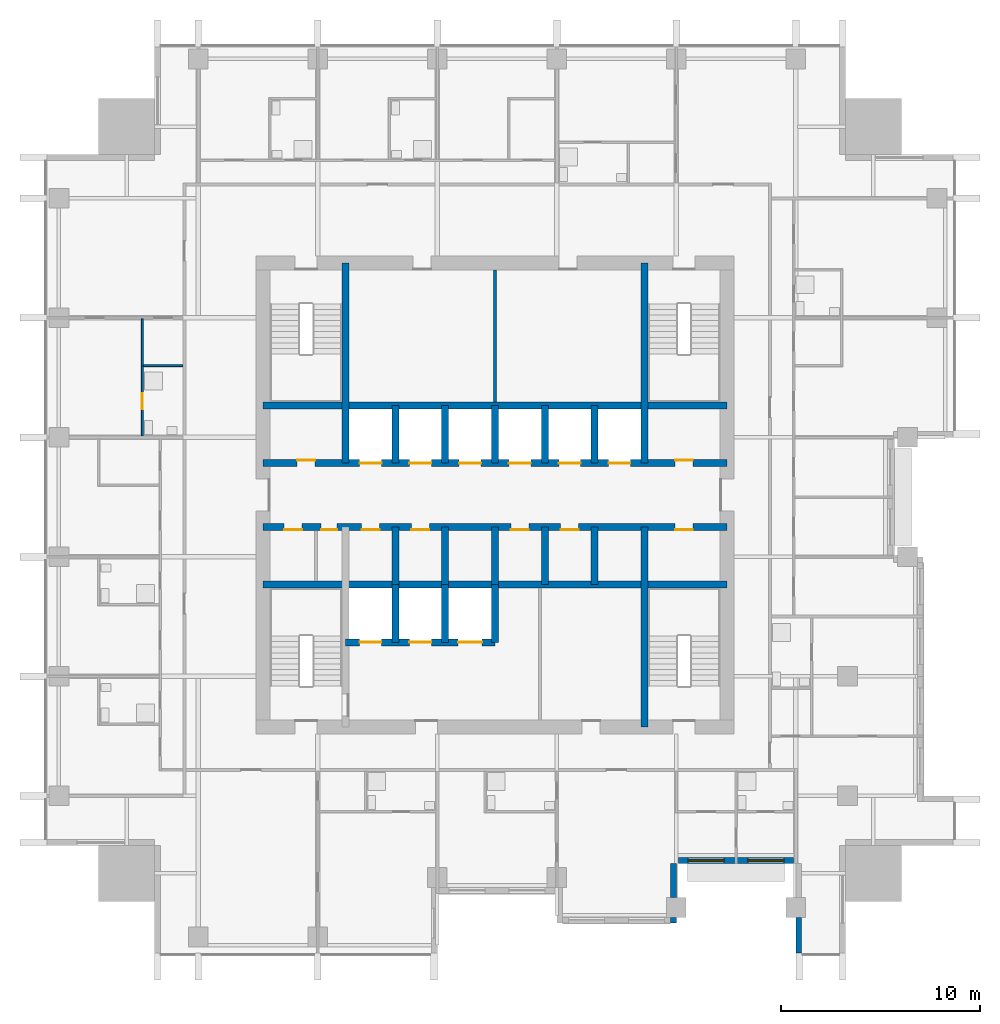
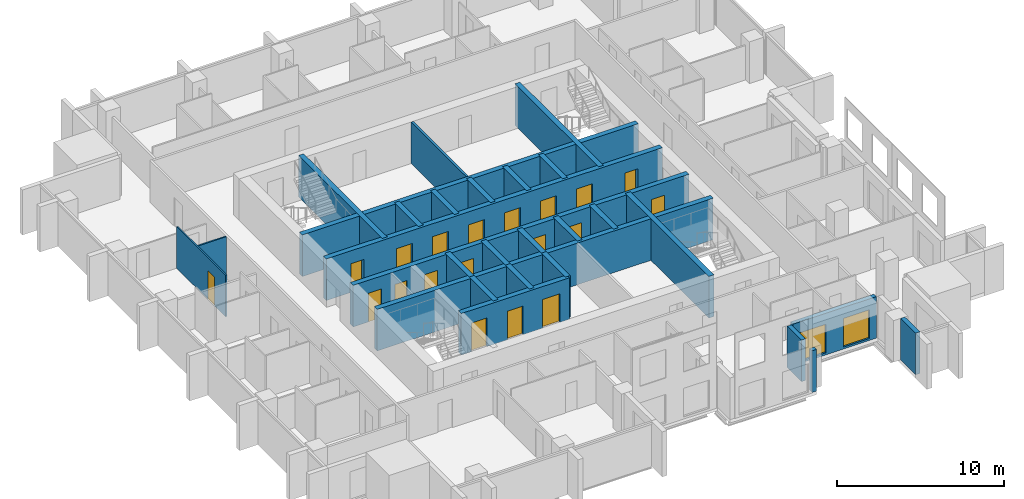
# One storey, part 5 of 11: 28 walls, 19 doors, 2 windows, 21 openings.
"""IFC4 building model written with IfcOpenShell, lengths in metres."""

from ifc_helpers import new_model, si_unit, direction, frame, frame_2d, origin, place, context, subcontext, project, spatial, rectangle, extrude, material, layer, layer_set, type_object, element, fill, save


model = new_model("IFC4")

# Units and contexts
model_context = context("Model", 3, precision=1e-05, world=origin(), true_north=direction((0.0, 1.0)))
body_context = subcontext(model_context, "Body", "Model", "MODEL_VIEW")
ifc_project = project(units=[si_unit("LENGTHUNIT", "METRE"), si_unit("AREAUNIT", "SQUARE_METRE"), si_unit("VOLUMEUNIT", "CUBIC_METRE"), si_unit("PLANEANGLEUNIT", "RADIAN"), si_unit("MASSUNIT", "GRAM", prefix="KILO")], contexts=[model_context])

# Site, building, storey
site_placement = place(None, origin())
site = spatial("IfcSite", under=ifc_project, at=site_placement, CompositionType="ELEMENT")
building_placement = place(site_placement, origin())
building = spatial("IfcBuilding", under=site, at=building_placement, Name="Amberfall Residences", CompositionType="ELEMENT")
storey_placement = place(building_placement, frame((0.0, 0.0, 171.39990234375)))
storey = spatial("IfcBuildingStorey", under=building, at=storey_placement, Name="L46", CompositionType="ELEMENT", Elevation=171.39990234375)

# Walls
ifc_material_1 = material(Name="Pale stone cladding on insulated backing", Category="masonry")
ifc_layer_1 = layer(ifc_material_1, 0.300048828125)
ifc_layer_set_1 = layer_set([ifc_layer_1], Name="Bronze clad wall 300")
wall_type_1 = type_object("IfcWallType", Name="Bronze clad wall 300", PredefinedType="SOLIDWALL", material=ifc_layer_set_1)
wall_1_placement = place(storey_placement, frame((83.449951171875, 24.0, 0.0), z_axis=(0.0, 0.0, 1.0), x_axis=(0.0, 1.0, 0.0)))
element("IfcWall", 1, at=wall_1_placement, inside=storey, type_object=wall_type_1, Name="External wall L46 S", PredefinedType="SOLIDWALL", context=body_context, shape_type="SweptSolid", body=[
    extrude(rectangle(XDim=0.300048828125, YDim=0.300048828125, at=frame_2d((0.14990234375, 0.0))), origin(), (0.0, 0.0, 1.0), 3.050048828125),
])
wall_2_placement = place(storey_placement, frame((83.449951171875, 25.300048828125, 0.0), z_axis=(0.0, 0.0, 1.0), x_axis=(0.0, 1.0, 0.0)))
element("IfcWall", 2, at=wall_2_placement, inside=storey, type_object=wall_type_1, Name="External wall L46 S", PredefinedType="SOLIDWALL", context=body_context, shape_type="SweptSolid", body=[
    extrude(rectangle(XDim=1.699951171875, YDim=0.300048828125, at=frame_2d((0.85009765625, 0.0))), origin(), (0.0, 0.0, 1.0), 3.050048828125),
])
wall_3_placement = place(storey_placement, frame((89.75, 24.300048828125, 0.0), z_axis=(0.0, 0.0, 1.0), x_axis=(0.0, -1.0, 0.0)))
element("IfcWall", 3, at=wall_3_placement, inside=storey, type_object=wall_type_1, Name="External wall L46 S", PredefinedType="SOLIDWALL", context=body_context, shape_type="SweptSolid", body=[
    extrude(rectangle(XDim=1.800048828125, YDim=0.300048828125, at=frame_2d((0.89990234375, 0.0))), origin(), (0.0, 0.0, 1.0), 3.050048828125),
])

# Wall, openings, windows
wall_4_placement = place(storey_placement, frame((83.699951171875, 27.14990234375, 0.0), z_axis=(0.0, 0.0, 1.0), x_axis=(1.0, 0.0, 0.0)))
wall_4 = element("IfcWall", 4, at=wall_4_placement, inside=storey, type_object=wall_type_1, Name="Stone wall L46 S", PredefinedType="SOLIDWALL", context=body_context, shape_type="SweptSolid", body=[
    extrude(rectangle(XDim=5.7900390625, YDim=0.300048828125, at=frame_2d((2.89501953125, 0.0))), origin(), (0.0, 0.0, 1.0), 3.050048828125),
])
opening_1_placement = place(wall_4_placement, frame((0.5, 0.0, 0.14990234375)))
opening_1 = element("IfcOpeningElement", 5, at=opening_1_placement, cuts=wall_4, Name="Opening WN6", PredefinedType="OPENING", context=body_context, shape_type="SweptSolid", body=[
    extrude(rectangle(XDim=1.800048828125, YDim=2.10009765625, at=frame_2d((0.89990234375, 1.050048828125))), frame((0.0, 0.159912109375, 0.0), z_axis=(0.0, -1.0, 0.0), x_axis=(1.0, 0.0, 0.0)), (0.0, 0.0, 1.0), 0.320068359375),
])
opening_2_placement = place(wall_4_placement, frame((3.5, 0.0, 0.14990234375)))
opening_2 = element("IfcOpeningElement", 6, at=opening_2_placement, cuts=wall_4, Name="Opening WN6", PredefinedType="OPENING", context=body_context, shape_type="SweptSolid", body=[
    extrude(rectangle(XDim=1.800048828125, YDim=2.10009765625, at=frame_2d((0.89990234375, 1.050048828125))), frame((0.0, 0.159912109375, 0.0), z_axis=(0.0, -1.0, 0.0), x_axis=(1.0, 0.0, 0.0)), (0.0, 0.0, 1.0), 0.320068359375),
])
ifc_material_2 = material(Name="Bronze aluminium framed glazing", Category="aluminium")
window_type = type_object("IfcWindowType", Name="Glazed opening 1800 x 2100 bronze", PartitioningType="DOUBLE_PANEL_VERTICAL", PredefinedType="WINDOW", material=ifc_material_2)
window_1_placement = place(opening_1_placement, origin())
window_1 = element("IfcWindow", 7, at=window_1_placement, inside=storey, type_object=window_type, Name="Window L46 S", OverallHeight=2.10009765625, OverallWidth=1.800048828125, PartitioningType="DOUBLE_PANEL_VERTICAL", PredefinedType="WINDOW", context=body_context, shape_type="SweptSolid", body=[
    extrude(rectangle(XDim=1.800048828125, YDim=2.10009765625, at=frame_2d((0.89990234375, 1.050048828125))), frame((0.0, 0.030029296875, 0.0), z_axis=(0.0, -1.0, 0.0), x_axis=(1.0, 0.0, 0.0)), (0.0, 0.0, 1.0), 0.06005859375),
])
fill(opening_1, window_1)
window_2_placement = place(opening_2_placement, origin())
window_2 = element("IfcWindow", 8, at=window_2_placement, inside=storey, type_object=window_type, Name="Window L46 S", OverallHeight=2.10009765625, OverallWidth=1.800048828125, PartitioningType="DOUBLE_PANEL_VERTICAL", PredefinedType="WINDOW", context=body_context, shape_type="SweptSolid", body=[
    extrude(rectangle(XDim=1.800048828125, YDim=2.10009765625, at=frame_2d((0.89990234375, 1.050048828125))), frame((0.0, 0.030029296875, 0.0), z_axis=(0.0, -1.0, 0.0), x_axis=(1.0, 0.0, 0.0)), (0.0, 0.0, 1.0), 0.06005859375),
])
fill(opening_2, window_2)

# Wall
ifc_material_3 = material(Name="Concrete C60", Category="concrete")
ifc_layer_2 = layer(ifc_material_3, 0.35009765625)
ifc_layer_set_2 = layer_set([ifc_layer_2], Name="Core wall 350 C60")
wall_type_2 = type_object("IfcWallType", Name="Core wall 350 C60", PredefinedType="SHEAR", material=ifc_layer_set_2)
wall_5_placement = place(storey_placement, frame((62.85009765625, 41.0, 0.0), z_axis=(0.0, 0.0, 1.0), x_axis=(1.0, 0.0, 0.0)))
element("IfcWall", 9, at=wall_5_placement, inside=storey, type_object=wall_type_2, Name="Core wall RW6 L46 H75", PredefinedType="SHEAR", context=body_context, shape_type="SweptSolid", body=[
    extrude(rectangle(XDim=23.2998046875, YDim=0.35009765625, at=frame_2d((11.64990234375, 0.0))), origin(), (0.0, 0.0, 1.0), 3.050048828125),
])

# Wall, openings, doors
wall_6_placement = place(storey_placement, frame((62.85009765625, 43.89990234375, 0.0), z_axis=(0.0, 0.0, 1.0), x_axis=(1.0, 0.0, 0.0)))
wall_6 = element("IfcWall", 10, at=wall_6_placement, inside=storey, type_object=wall_type_2, Name="Core wall RW6 L46 H104", PredefinedType="SHEAR", context=body_context, shape_type="SweptSolid", body=[
    extrude(rectangle(XDim=23.2998046875, YDim=0.35009765625, at=frame_2d((11.64990234375, 0.0))), origin(), (0.0, 0.0, 1.0), 3.050048828125),
])
opening_3_placement = place(wall_6_placement, frame((1.06005859375, 0.0, 0.0)))
opening_3 = element("IfcOpeningElement", 11, at=opening_3_placement, cuts=wall_6, Name="Opening RD1", PredefinedType="OPENING", context=body_context, shape_type="SweptSolid", body=[
    extrude(rectangle(XDim=0.89990234375, YDim=2.10009765625, at=frame_2d((0.449951171875, 1.050048828125))), frame((0.0, 0.18505859375, 0.0), z_axis=(0.0, -1.0, 0.0), x_axis=(1.0, 0.0, 0.0)), (0.0, 0.0, 1.0), 0.3701171875),
])
opening_4_placement = place(wall_6_placement, frame((2.922607421875, 0.0, 0.0)))
opening_4 = element("IfcOpeningElement", 12, at=opening_4_placement, cuts=wall_6, Name="Opening RD2", PredefinedType="OPENING", context=body_context, shape_type="SweptSolid", body=[
    extrude(rectangle(XDim=0.800048828125, YDim=2.10009765625, at=frame_2d((0.39990234375, 1.050048828125))), frame((0.0, 0.18505859375, 0.0), z_axis=(0.0, -1.0, 0.0), x_axis=(1.0, 0.0, 0.0)), (0.0, 0.0, 1.0), 0.3701171875),
])
opening_5_placement = place(wall_6_placement, frame((20.6875, 0.0, 0.0)))
opening_5 = element("IfcOpeningElement", 13, at=opening_5_placement, cuts=wall_6, Name="Opening RD1", PredefinedType="OPENING", context=body_context, shape_type="SweptSolid", body=[
    extrude(rectangle(XDim=0.89990234375, YDim=2.10009765625, at=frame_2d((0.449951171875, 1.050048828125))), frame((0.0, 0.18505859375, 0.0), z_axis=(0.0, -1.0, 0.0), x_axis=(1.0, 0.0, 0.0)), (0.0, 0.0, 1.0), 0.3701171875),
])
opening_6_placement = place(wall_6_placement, frame((4.949951171875, 0.0, 0.0)))
opening_6 = element("IfcOpeningElement", 14, at=opening_6_placement, cuts=wall_6, Name="Opening RD1", PredefinedType="OPENING", context=body_context, shape_type="SweptSolid", body=[
    extrude(rectangle(XDim=0.89990234375, YDim=2.10009765625, at=frame_2d((0.449951171875, 1.050048828125))), frame((0.0, 0.18505859375, 0.0), z_axis=(0.0, -1.0, 0.0), x_axis=(1.0, 0.0, 0.0)), (0.0, 0.0, 1.0), 0.3701171875),
])
opening_7_placement = place(wall_6_placement, frame((7.449951171875, 0.0, 0.0)))
opening_7 = element("IfcOpeningElement", 15, at=opening_7_placement, cuts=wall_6, Name="Opening RD1", PredefinedType="OPENING", context=body_context, shape_type="SweptSolid", body=[
    extrude(rectangle(XDim=0.89990234375, YDim=2.10009765625, at=frame_2d((0.449951171875, 1.050048828125))), frame((0.0, 0.18505859375, 0.0), z_axis=(0.0, -1.0, 0.0), x_axis=(1.0, 0.0, 0.0)), (0.0, 0.0, 1.0), 0.3701171875),
])
opening_8_placement = place(wall_6_placement, frame((12.449951171875, 0.0, 0.0)))
opening_8 = element("IfcOpeningElement", 16, at=opening_8_placement, cuts=wall_6, Name="Opening RD1", PredefinedType="OPENING", context=body_context, shape_type="SweptSolid", body=[
    extrude(rectangle(XDim=0.89990234375, YDim=2.10009765625, at=frame_2d((0.449951171875, 1.050048828125))), frame((0.0, 0.18505859375, 0.0), z_axis=(0.0, -1.0, 0.0), x_axis=(1.0, 0.0, 0.0)), (0.0, 0.0, 1.0), 0.3701171875),
])
opening_9_placement = place(wall_6_placement, frame((14.949951171875, 0.0, 0.0)))
opening_9 = element("IfcOpeningElement", 17, at=opening_9_placement, cuts=wall_6, Name="Opening RD1", PredefinedType="OPENING", context=body_context, shape_type="SweptSolid", body=[
    extrude(rectangle(XDim=0.89990234375, YDim=2.10009765625, at=frame_2d((0.449951171875, 1.050048828125))), frame((0.0, 0.18505859375, 0.0), z_axis=(0.0, -1.0, 0.0), x_axis=(1.0, 0.0, 0.0)), (0.0, 0.0, 1.0), 0.3701171875),
])
ifc_material_4 = material(Name="Steel fire door set", Category="steel")
door_type_1 = type_object("IfcDoorType", Name="Service room door 800 x 2100", OperationType="SINGLE_SWING_LEFT", PredefinedType="DOOR", material=ifc_material_4)
door_1_placement = place(opening_4_placement, origin())
door_1 = element("IfcDoor", 18, at=door_1_placement, inside=storey, type_object=door_type_1, Name="RD2 L46", OperationType="SINGLE_SWING_RIGHT", OverallHeight=2.10009765625, OverallWidth=0.800048828125, PredefinedType="DOOR", context=body_context, shape_type="SweptSolid", body=[
    extrude(rectangle(XDim=0.800048828125, YDim=2.10009765625, at=frame_2d((0.39990234375, 1.050048828125))), frame((0.0, -0.1123046875, 0.0), z_axis=(0.0, -1.0, 0.0), x_axis=(1.0, 0.0, 0.0)), (0.0, 0.0, 1.0), 0.050048828125),
])
fill(opening_4, door_1)
door_type_2 = type_object("IfcDoorType", Name="Service room door 900 x 2100", OperationType="SINGLE_SWING_LEFT", PredefinedType="DOOR", material=ifc_material_4)
door_2_placement = place(opening_3_placement, origin())
door_2 = element("IfcDoor", 19, at=door_2_placement, inside=storey, type_object=door_type_2, Name="RD1 L46", OperationType="SINGLE_SWING_LEFT", OverallHeight=2.10009765625, OverallWidth=0.89990234375, PredefinedType="DOOR", context=body_context, shape_type="SweptSolid", body=[
    extrude(rectangle(XDim=0.89990234375, YDim=2.10009765625, at=frame_2d((0.449951171875, 1.050048828125))), frame((0.0, -0.1123046875, 0.0), z_axis=(0.0, -1.0, 0.0), x_axis=(1.0, 0.0, 0.0)), (0.0, 0.0, 1.0), 0.050048828125),
])
fill(opening_3, door_2)
door_3_placement = place(opening_5_placement, origin())
door_3 = element("IfcDoor", 20, at=door_3_placement, inside=storey, type_object=door_type_2, Name="RD1 L46", OperationType="SINGLE_SWING_LEFT", OverallHeight=2.10009765625, OverallWidth=0.89990234375, PredefinedType="DOOR", context=body_context, shape_type="SweptSolid", body=[
    extrude(rectangle(XDim=0.89990234375, YDim=2.10009765625, at=frame_2d((0.449951171875, 1.050048828125))), frame((0.0, -0.1123046875, 0.0), z_axis=(0.0, -1.0, 0.0), x_axis=(1.0, 0.0, 0.0)), (0.0, 0.0, 1.0), 0.050048828125),
])
fill(opening_5, door_3)
door_4_placement = place(opening_6_placement, origin())
door_4 = element("IfcDoor", 21, at=door_4_placement, inside=storey, type_object=door_type_2, Name="RD1 L46", OperationType="SINGLE_SWING_RIGHT", OverallHeight=2.10009765625, OverallWidth=0.89990234375, PredefinedType="DOOR", context=body_context, shape_type="SweptSolid", body=[
    extrude(rectangle(XDim=0.89990234375, YDim=2.10009765625, at=frame_2d((0.449951171875, 1.050048828125))), frame((0.0, -0.1123046875, 0.0), z_axis=(0.0, -1.0, 0.0), x_axis=(1.0, 0.0, 0.0)), (0.0, 0.0, 1.0), 0.050048828125),
])
fill(opening_6, door_4)
door_5_placement = place(opening_7_placement, origin())
door_5 = element("IfcDoor", 22, at=door_5_placement, inside=storey, type_object=door_type_2, Name="RD1 L46", OperationType="SINGLE_SWING_LEFT", OverallHeight=2.10009765625, OverallWidth=0.89990234375, PredefinedType="DOOR", context=body_context, shape_type="SweptSolid", body=[
    extrude(rectangle(XDim=0.89990234375, YDim=2.10009765625, at=frame_2d((0.449951171875, 1.050048828125))), frame((0.0, -0.1123046875, 0.0), z_axis=(0.0, -1.0, 0.0), x_axis=(1.0, 0.0, 0.0)), (0.0, 0.0, 1.0), 0.050048828125),
])
fill(opening_7, door_5)
door_6_placement = place(opening_8_placement, origin())
door_6 = element("IfcDoor", 23, at=door_6_placement, inside=storey, type_object=door_type_2, Name="RD1 L46", OperationType="SINGLE_SWING_LEFT", OverallHeight=2.10009765625, OverallWidth=0.89990234375, PredefinedType="DOOR", context=body_context, shape_type="SweptSolid", body=[
    extrude(rectangle(XDim=0.89990234375, YDim=2.10009765625, at=frame_2d((0.449951171875, 1.050048828125))), frame((0.0, -0.1123046875, 0.0), z_axis=(0.0, -1.0, 0.0), x_axis=(1.0, 0.0, 0.0)), (0.0, 0.0, 1.0), 0.050048828125),
])
fill(opening_8, door_6)
door_7_placement = place(opening_9_placement, origin())
door_7 = element("IfcDoor", 24, at=door_7_placement, inside=storey, type_object=door_type_2, Name="RD1 L46", OperationType="SINGLE_SWING_RIGHT", OverallHeight=2.10009765625, OverallWidth=0.89990234375, PredefinedType="DOOR", context=body_context, shape_type="SweptSolid", body=[
    extrude(rectangle(XDim=0.89990234375, YDim=2.10009765625, at=frame_2d((0.449951171875, 1.050048828125))), frame((0.0, -0.1123046875, 0.0), z_axis=(0.0, -1.0, 0.0), x_axis=(1.0, 0.0, 0.0)), (0.0, 0.0, 1.0), 0.050048828125),
])
fill(opening_9, door_7)

wall_7_placement = place(storey_placement, frame((62.85009765625, 47.10009765625, 0.0), z_axis=(0.0, 0.0, 1.0), x_axis=(1.0, 0.0, 0.0)))
wall_7 = element("IfcWall", 25, at=wall_7_placement, inside=storey, type_object=wall_type_2, Name="Core wall RW6 L46 H136", PredefinedType="SHEAR", context=body_context, shape_type="SweptSolid", body=[
    extrude(rectangle(XDim=23.2998046875, YDim=0.35009765625, at=frame_2d((11.64990234375, 0.0))), origin(), (0.0, 0.0, 1.0), 3.050048828125),
])
opening_10_placement = place(wall_7_placement, frame((1.71240234375, 0.0, 0.0)))
opening_10 = element("IfcOpeningElement", 26, at=opening_10_placement, cuts=wall_7, Name="Opening RD1", PredefinedType="OPENING", context=body_context, shape_type="SweptSolid", body=[
    extrude(rectangle(XDim=0.89990234375, YDim=2.10009765625, at=frame_2d((0.449951171875, 1.050048828125))), frame((0.0, 0.18505859375, 0.0), z_axis=(0.0, -1.0, 0.0), x_axis=(1.0, 0.0, 0.0)), (0.0, 0.0, 1.0), 0.3701171875),
])
opening_11_placement = place(wall_7_placement, frame((20.6875, 0.0, 0.0)))
opening_11 = element("IfcOpeningElement", 27, at=opening_11_placement, cuts=wall_7, Name="Opening RD1", PredefinedType="OPENING", context=body_context, shape_type="SweptSolid", body=[
    extrude(rectangle(XDim=0.89990234375, YDim=2.10009765625, at=frame_2d((0.449951171875, 1.050048828125))), frame((0.0, 0.18505859375, 0.0), z_axis=(0.0, -1.0, 0.0), x_axis=(1.0, 0.0, 0.0)), (0.0, 0.0, 1.0), 0.3701171875),
])
opening_12_placement = place(wall_7_placement, frame((4.85009765625, 0.0, 0.0)))
opening_12 = element("IfcOpeningElement", 28, at=opening_12_placement, cuts=wall_7, Name="Opening LD1", PredefinedType="OPENING", context=body_context, shape_type="SweptSolid", body=[
    extrude(rectangle(XDim=1.10009765625, YDim=2.10009765625, at=frame_2d((0.550048828125, 1.050048828125))), frame((0.0, 0.18505859375, 0.0), z_axis=(0.0, -1.0, 0.0), x_axis=(1.0, 0.0, 0.0)), (0.0, 0.0, 1.0), 0.3701171875),
])
opening_13_placement = place(wall_7_placement, frame((7.35009765625, 0.0, 0.0)))
opening_13 = element("IfcOpeningElement", 29, at=opening_13_placement, cuts=wall_7, Name="Opening LD1", PredefinedType="OPENING", context=body_context, shape_type="SweptSolid", body=[
    extrude(rectangle(XDim=1.10009765625, YDim=2.10009765625, at=frame_2d((0.550048828125, 1.050048828125))), frame((0.0, 0.18505859375, 0.0), z_axis=(0.0, -1.0, 0.0), x_axis=(1.0, 0.0, 0.0)), (0.0, 0.0, 1.0), 0.3701171875),
])
opening_14_placement = place(wall_7_placement, frame((9.85009765625, 0.0, 0.0)))
opening_14 = element("IfcOpeningElement", 30, at=opening_14_placement, cuts=wall_7, Name="Opening LD1", PredefinedType="OPENING", context=body_context, shape_type="SweptSolid", body=[
    extrude(rectangle(XDim=1.10009765625, YDim=2.10009765625, at=frame_2d((0.550048828125, 1.050048828125))), frame((0.0, 0.18505859375, 0.0), z_axis=(0.0, -1.0, 0.0), x_axis=(1.0, 0.0, 0.0)), (0.0, 0.0, 1.0), 0.3701171875),
])
opening_15_placement = place(wall_7_placement, frame((12.35009765625, 0.0, 0.0)))
opening_15 = element("IfcOpeningElement", 31, at=opening_15_placement, cuts=wall_7, Name="Opening LD1", PredefinedType="OPENING", context=body_context, shape_type="SweptSolid", body=[
    extrude(rectangle(XDim=1.10009765625, YDim=2.10009765625, at=frame_2d((0.550048828125, 1.050048828125))), frame((0.0, 0.18505859375, 0.0), z_axis=(0.0, -1.0, 0.0), x_axis=(1.0, 0.0, 0.0)), (0.0, 0.0, 1.0), 0.3701171875),
])
opening_16_placement = place(wall_7_placement, frame((14.85009765625, 0.0, 0.0)))
opening_16 = element("IfcOpeningElement", 32, at=opening_16_placement, cuts=wall_7, Name="Opening LD1", PredefinedType="OPENING", context=body_context, shape_type="SweptSolid", body=[
    extrude(rectangle(XDim=1.10009765625, YDim=2.10009765625, at=frame_2d((0.550048828125, 1.050048828125))), frame((0.0, 0.18505859375, 0.0), z_axis=(0.0, -1.0, 0.0), x_axis=(1.0, 0.0, 0.0)), (0.0, 0.0, 1.0), 0.3701171875),
])
opening_17_placement = place(wall_7_placement, frame((17.35009765625, 0.0, 0.0)))
opening_17 = element("IfcOpeningElement", 33, at=opening_17_placement, cuts=wall_7, Name="Opening LD1", PredefinedType="OPENING", context=body_context, shape_type="SweptSolid", body=[
    extrude(rectangle(XDim=1.10009765625, YDim=2.10009765625, at=frame_2d((0.550048828125, 1.050048828125))), frame((0.0, 0.18505859375, 0.0), z_axis=(0.0, -1.0, 0.0), x_axis=(1.0, 0.0, 0.0)), (0.0, 0.0, 1.0), 0.3701171875),
])
door_type_3 = type_object("IfcDoorType", Name="Lift landing door 1100 x 2100", OperationType="DOUBLE_DOOR_SLIDING", PredefinedType="DOOR", material=ifc_material_4)
door_8_placement = place(opening_12_placement, origin())
door_8 = element("IfcDoor", 34, at=door_8_placement, inside=storey, type_object=door_type_3, Name="Landing door HP1 L46", OperationType="DOUBLE_DOOR_SLIDING", OverallHeight=2.10009765625, OverallWidth=1.10009765625, PredefinedType="DOOR", context=body_context, shape_type="SweptSolid", body=[
    extrude(rectangle(XDim=1.10009765625, YDim=2.10009765625, at=frame_2d((0.550048828125, 1.050048828125))), frame((0.0, 0.02490234375, 0.0), z_axis=(0.0, -1.0, 0.0), x_axis=(1.0, 0.0, 0.0)), (0.0, 0.0, 1.0), 0.050048828125),
])
fill(opening_12, door_8)
door_9_placement = place(opening_13_placement, origin())
door_9 = element("IfcDoor", 35, at=door_9_placement, inside=storey, type_object=door_type_3, Name="Landing door HP2 L46", OperationType="DOUBLE_DOOR_SLIDING", OverallHeight=2.10009765625, OverallWidth=1.10009765625, PredefinedType="DOOR", context=body_context, shape_type="SweptSolid", body=[
    extrude(rectangle(XDim=1.10009765625, YDim=2.10009765625, at=frame_2d((0.550048828125, 1.050048828125))), frame((0.0, 0.02490234375, 0.0), z_axis=(0.0, -1.0, 0.0), x_axis=(1.0, 0.0, 0.0)), (0.0, 0.0, 1.0), 0.050048828125),
])
fill(opening_13, door_9)
door_10_placement = place(opening_14_placement, origin())
door_10 = element("IfcDoor", 36, at=door_10_placement, inside=storey, type_object=door_type_3, Name="Landing door HP3 L46", OperationType="DOUBLE_DOOR_SLIDING", OverallHeight=2.10009765625, OverallWidth=1.10009765625, PredefinedType="DOOR", context=body_context, shape_type="SweptSolid", body=[
    extrude(rectangle(XDim=1.10009765625, YDim=2.10009765625, at=frame_2d((0.550048828125, 1.050048828125))), frame((0.0, 0.02490234375, 0.0), z_axis=(0.0, -1.0, 0.0), x_axis=(1.0, 0.0, 0.0)), (0.0, 0.0, 1.0), 0.050048828125),
])
fill(opening_14, door_10)
door_11_placement = place(opening_15_placement, origin())
door_11 = element("IfcDoor", 37, at=door_11_placement, inside=storey, type_object=door_type_3, Name="Landing door HP4 L46", OperationType="DOUBLE_DOOR_SLIDING", OverallHeight=2.10009765625, OverallWidth=1.10009765625, PredefinedType="DOOR", context=body_context, shape_type="SweptSolid", body=[
    extrude(rectangle(XDim=1.10009765625, YDim=2.10009765625, at=frame_2d((0.550048828125, 1.050048828125))), frame((0.0, 0.02490234375, 0.0), z_axis=(0.0, -1.0, 0.0), x_axis=(1.0, 0.0, 0.0)), (0.0, 0.0, 1.0), 0.050048828125),
])
fill(opening_15, door_11)
door_12_placement = place(opening_16_placement, origin())
door_12 = element("IfcDoor", 38, at=door_12_placement, inside=storey, type_object=door_type_3, Name="Landing door HP5 L46", OperationType="DOUBLE_DOOR_SLIDING", OverallHeight=2.10009765625, OverallWidth=1.10009765625, PredefinedType="DOOR", context=body_context, shape_type="SweptSolid", body=[
    extrude(rectangle(XDim=1.10009765625, YDim=2.10009765625, at=frame_2d((0.550048828125, 1.050048828125))), frame((0.0, 0.02490234375, 0.0), z_axis=(0.0, -1.0, 0.0), x_axis=(1.0, 0.0, 0.0)), (0.0, 0.0, 1.0), 0.050048828125),
])
fill(opening_16, door_12)
door_13_placement = place(opening_17_placement, origin())
door_13 = element("IfcDoor", 39, at=door_13_placement, inside=storey, type_object=door_type_3, Name="Landing door HP6 L46", OperationType="DOUBLE_DOOR_SLIDING", OverallHeight=2.10009765625, OverallWidth=1.10009765625, PredefinedType="DOOR", context=body_context, shape_type="SweptSolid", body=[
    extrude(rectangle(XDim=1.10009765625, YDim=2.10009765625, at=frame_2d((0.550048828125, 1.050048828125))), frame((0.0, 0.02490234375, 0.0), z_axis=(0.0, -1.0, 0.0), x_axis=(1.0, 0.0, 0.0)), (0.0, 0.0, 1.0), 0.050048828125),
])
fill(opening_17, door_13)
door_14_placement = place(opening_10_placement, origin())
door_14 = element("IfcDoor", 40, at=door_14_placement, inside=storey, type_object=door_type_2, Name="RD1 L46", OperationType="SINGLE_SWING_LEFT", OverallHeight=2.10009765625, OverallWidth=0.89990234375, PredefinedType="DOOR", context=body_context, shape_type="SweptSolid", body=[
    extrude(rectangle(XDim=0.89990234375, YDim=2.10009765625, at=frame_2d((0.449951171875, 1.050048828125))), frame((0.0, 0.16259765625, 0.0), z_axis=(0.0, -1.0, 0.0), x_axis=(1.0, 0.0, 0.0)), (0.0, 0.0, 1.0), 0.050048828125),
])
fill(opening_10, door_14)
door_15_placement = place(opening_11_placement, origin())
door_15 = element("IfcDoor", 41, at=door_15_placement, inside=storey, type_object=door_type_2, Name="RD1 L46", OperationType="SINGLE_SWING_LEFT", OverallHeight=2.10009765625, OverallWidth=0.89990234375, PredefinedType="DOOR", context=body_context, shape_type="SweptSolid", body=[
    extrude(rectangle(XDim=0.89990234375, YDim=2.10009765625, at=frame_2d((0.449951171875, 1.050048828125))), frame((0.0, 0.16259765625, 0.0), z_axis=(0.0, -1.0, 0.0), x_axis=(1.0, 0.0, 0.0)), (0.0, 0.0, 1.0), 0.050048828125),
])
fill(opening_11, door_15)

# Walls
wall_8_placement = place(storey_placement, frame((62.85009765625, 50.0, 0.0), z_axis=(0.0, 0.0, 1.0), x_axis=(1.0, 0.0, 0.0)))
element("IfcWall", 42, at=wall_8_placement, inside=storey, type_object=wall_type_2, Name="Core wall RW6 L46 H165", PredefinedType="SHEAR", context=body_context, shape_type="SweptSolid", body=[
    extrude(rectangle(XDim=23.2998046875, YDim=0.35009765625, at=frame_2d((11.64990234375, 0.0))), origin(), (0.0, 0.0, 1.0), 3.050048828125),
])
for number, where, z_axis, x_axis, name in (
    (43, (67.0, 47.10009765625, 0.0), (0.0, 0.0, 1.0), (0.0, 1.0, 0.0), "Core wall RW6 L46 V45N"),
    (44, (82.0, 33.85009765625, 0.0), (0.0, 0.0, 1.0), (0.0, 1.0, 0.0), "Core wall RW6 L46 V195S"),
    (45, (82.0, 47.10009765625, 0.0), (0.0, 0.0, 1.0), (0.0, 1.0, 0.0), "Core wall RW6 L46 V195N"),
):
    element("IfcWall", number, at=place(storey_placement, frame(where, z_axis=z_axis, x_axis=x_axis)), inside=storey, type_object=wall_type_2, Name=name, PredefinedType="SHEAR", context=body_context, shape_type="SweptSolid", body=[
        extrude(rectangle(XDim=10.0498046875, YDim=0.35009765625, at=frame_2d((5.02490234375, 0.0))), origin(), (0.0, 0.0, 1.0), 3.050048828125),
    ])
for number, where, z_axis, x_axis, name in (
    (46, (69.5, 41.0, 0.0), (0.0, 0.0, 1.0), (0.0, 1.0, 0.0), "Core wall RW6 L46 LPD1"),
    (47, (69.5, 47.10009765625, 0.0), (0.0, 0.0, 1.0), (0.0, 1.0, 0.0), "Core wall RW6 L46 HPD1"),
    (48, (72.0, 41.0, 0.0), (0.0, 0.0, 1.0), (0.0, 1.0, 0.0), "Core wall RW6 L46 LPD2"),
    (49, (72.0, 47.10009765625, 0.0), (0.0, 0.0, 1.0), (0.0, 1.0, 0.0), "Core wall RW6 L46 HPD2"),
    (50, (74.5, 41.0, 0.0), (0.0, 0.0, 1.0), (0.0, 1.0, 0.0), "Core wall RW6 L46 LPD3"),
    (51, (74.5, 47.10009765625, 0.0), (0.0, 0.0, 1.0), (0.0, 1.0, 0.0), "Core wall RW6 L46 HPD3"),
    (52, (77.0, 41.0, 0.0), (0.0, 0.0, 1.0), (0.0, 1.0, 0.0), "Core wall RW6 L46 LPD4"),
    (53, (77.0, 47.10009765625, 0.0), (0.0, 0.0, 1.0), (0.0, 1.0, 0.0), "Core wall RW6 L46 HPD4"),
    (54, (79.5, 41.0, 0.0), (0.0, 0.0, 1.0), (0.0, 1.0, 0.0), "Core wall RW6 L46 LPD5"),
    (55, (79.5, 47.10009765625, 0.0), (0.0, 0.0, 1.0), (0.0, 1.0, 0.0), "Core wall RW6 L46 HPD5"),
):
    element("IfcWall", number, at=place(storey_placement, frame(where, z_axis=z_axis, x_axis=x_axis)), inside=storey, type_object=wall_type_2, Name=name, PredefinedType="SHEAR", context=body_context, shape_type="SweptSolid", body=[
        extrude(rectangle(XDim=2.89990234375, YDim=0.35009765625, at=frame_2d((1.449951171875, 0.0))), origin(), (0.0, 0.0, 1.0), 3.050048828125),
    ])

# Wall, openings, doors
wall_9_placement = place(storey_placement, frame((67.0, 38.10009765625, 0.0), z_axis=(0.0, 0.0, 1.0), x_axis=(1.0, 0.0, 0.0)))
wall_9 = element("IfcWall", 56, at=wall_9_placement, inside=storey, type_object=wall_type_2, Name="Core wall RW6 L46 FFF", PredefinedType="SHEAR", context=body_context, shape_type="SweptSolid", body=[
    extrude(rectangle(XDim=7.5, YDim=0.35009765625, at=frame_2d((3.75, 0.0))), origin(), (0.0, 0.0, 1.0), 3.050048828125),
])
opening_18_placement = place(wall_9_placement, frame((0.699951171875, 0.0, 0.0)))
opening_18 = element("IfcOpeningElement", 57, at=opening_18_placement, cuts=wall_9, Name="Opening LD2", PredefinedType="OPENING", context=body_context, shape_type="SweptSolid", body=[
    extrude(rectangle(XDim=1.10009765625, YDim=2.10009765625, at=frame_2d((0.550048828125, 1.050048828125))), frame((0.0, 0.18505859375, 0.0), z_axis=(0.0, -1.0, 0.0), x_axis=(1.0, 0.0, 0.0)), (0.0, 0.0, 1.0), 0.3701171875),
])
opening_19_placement = place(wall_9_placement, frame((3.199951171875, 0.0, 0.0)))
opening_19 = element("IfcOpeningElement", 58, at=opening_19_placement, cuts=wall_9, Name="Opening LD2", PredefinedType="OPENING", context=body_context, shape_type="SweptSolid", body=[
    extrude(rectangle(XDim=1.10009765625, YDim=2.10009765625, at=frame_2d((0.550048828125, 1.050048828125))), frame((0.0, 0.18505859375, 0.0), z_axis=(0.0, -1.0, 0.0), x_axis=(1.0, 0.0, 0.0)), (0.0, 0.0, 1.0), 0.3701171875),
])
opening_20_placement = place(wall_9_placement, frame((5.64990234375, 0.0, 0.0)))
opening_20 = element("IfcOpeningElement", 59, at=opening_20_placement, cuts=wall_9, Name="Opening LD3", PredefinedType="OPENING", context=body_context, shape_type="SweptSolid", body=[
    extrude(rectangle(XDim=1.199951171875, YDim=2.10009765625, at=frame_2d((0.60009765625, 1.050048828125))), frame((0.0, 0.18505859375, 0.0), z_axis=(0.0, -1.0, 0.0), x_axis=(1.0, 0.0, 0.0)), (0.0, 0.0, 1.0), 0.3701171875),
])
door_type_4 = type_object("IfcDoorType", Name="Firefighting lift landing door 1100 x 2100", OperationType="DOUBLE_DOOR_SLIDING", PredefinedType="DOOR", material=ifc_material_4)
door_16_placement = place(opening_18_placement, origin())
door_16 = element("IfcDoor", 60, at=door_16_placement, inside=storey, type_object=door_type_4, Name="Landing door FF1 L46", OperationType="DOUBLE_DOOR_SLIDING", OverallHeight=2.10009765625, OverallWidth=1.10009765625, PredefinedType="DOOR", context=body_context, shape_type="SweptSolid", body=[
    extrude(rectangle(XDim=1.10009765625, YDim=2.10009765625, at=frame_2d((0.550048828125, 1.050048828125))), frame((0.0, 0.02490234375, 0.0), z_axis=(0.0, -1.0, 0.0), x_axis=(1.0, 0.0, 0.0)), (0.0, 0.0, 1.0), 0.050048828125),
])
fill(opening_18, door_16)
door_17_placement = place(opening_19_placement, origin())
door_17 = element("IfcDoor", 61, at=door_17_placement, inside=storey, type_object=door_type_4, Name="Landing door FF2 L46", OperationType="DOUBLE_DOOR_SLIDING", OverallHeight=2.10009765625, OverallWidth=1.10009765625, PredefinedType="DOOR", context=body_context, shape_type="SweptSolid", body=[
    extrude(rectangle(XDim=1.10009765625, YDim=2.10009765625, at=frame_2d((0.550048828125, 1.050048828125))), frame((0.0, 0.02490234375, 0.0), z_axis=(0.0, -1.0, 0.0), x_axis=(1.0, 0.0, 0.0)), (0.0, 0.0, 1.0), 0.050048828125),
])
fill(opening_19, door_17)
door_type_5 = type_object("IfcDoorType", Name="Service lift landing door 1200 x 2100", OperationType="DOUBLE_DOOR_SLIDING", PredefinedType="DOOR", material=ifc_material_4)
door_18_placement = place(opening_20_placement, origin())
door_18 = element("IfcDoor", 62, at=door_18_placement, inside=storey, type_object=door_type_5, Name="Landing door SL1 L46", OperationType="DOUBLE_DOOR_SLIDING", OverallHeight=2.10009765625, OverallWidth=1.199951171875, PredefinedType="DOOR", context=body_context, shape_type="SweptSolid", body=[
    extrude(rectangle(XDim=1.199951171875, YDim=2.10009765625, at=frame_2d((0.60009765625, 1.050048828125))), frame((0.0, 0.02490234375, 0.0), z_axis=(0.0, -1.0, 0.0), x_axis=(1.0, 0.0, 0.0)), (0.0, 0.0, 1.0), 0.050048828125),
])
fill(opening_20, door_18)

# Walls
for number, where, z_axis, x_axis, name in (
    (63, (69.5, 38.10009765625, 0.0), (0.0, 0.0, 1.0), (0.0, 1.0, 0.0), "Core wall RW6 L46 FFD1"),
    (64, (72.0, 38.10009765625, 0.0), (0.0, 0.0, 1.0), (0.0, 1.0, 0.0), "Core wall RW6 L46 FFD2"),
    (65, (74.5, 38.10009765625, 0.0), (0.0, 0.0, 1.0), (0.0, 1.0, 0.0), "Core wall RW6 L46 FFD3"),
):
    element("IfcWall", number, at=place(storey_placement, frame(where, z_axis=z_axis, x_axis=x_axis)), inside=storey, type_object=wall_type_2, Name=name, PredefinedType="SHEAR", context=body_context, shape_type="SweptSolid", body=[
        extrude(rectangle(XDim=2.89990234375, YDim=0.35009765625, at=frame_2d((1.449951171875, 0.0))), origin(), (0.0, 0.0, 1.0), 3.050048828125),
    ])

# Wall, opening, door
ifc_material_5 = material(Name="Gypsum board on metal stud")
ifc_layer_3 = layer(ifc_material_5, 0.10009765625)
ifc_layer_set_3 = layer_set([ifc_layer_3], Name="Flat partition 100")
wall_type_3 = type_object("IfcWallType", Name="Flat partition 100", PredefinedType="PARTITIONING", material=ifc_layer_set_3)
wall_10_placement = place(storey_placement, frame((56.800048828125, 54.35009765625, 0.0), z_axis=(0.0, 0.0, 1.0), x_axis=(0.0, -1.0, 0.0)))
wall_10 = element("IfcWall", 66, at=wall_10_placement, inside=storey, type_object=wall_type_3, Name="Partition 004", PredefinedType="PARTITIONING", context=body_context, shape_type="SweptSolid", body=[
    extrude(rectangle(XDim=5.875, YDim=0.10009765625, at=frame_2d((2.9375, 0.0))), origin(), (0.0, 0.0, 1.0), 3.050048828125),
])
opening_21_placement = place(wall_10_placement, frame((3.75, 0.0, 0.0)))
opening_21 = element("IfcOpeningElement", 67, at=opening_21_placement, cuts=wall_10, Name="Opening D42", PredefinedType="OPENING", context=body_context, shape_type="SweptSolid", body=[
    extrude(rectangle(XDim=0.800048828125, YDim=2.10009765625, at=frame_2d((0.39990234375, 1.050048828125))), frame((0.0, 0.06005859375, 0.0), z_axis=(0.0, -1.0, 0.0), x_axis=(1.0, 0.0, 0.0)), (0.0, 0.0, 1.0), 0.1201171875),
])
ifc_material_6 = material(Name="Timber", Category="wood")
door_type_6 = type_object("IfcDoorType", Name="Bathroom door 800 x 2100", OperationType="SINGLE_SWING_LEFT", PredefinedType="DOOR", material=ifc_material_6)
door_19_placement = place(opening_21_placement, origin())
door_19 = element("IfcDoor", 68, at=door_19_placement, inside=storey, type_object=door_type_6, Name="Door 4608 bath1", OperationType="SINGLE_SWING_LEFT", OverallHeight=2.10009765625, OverallWidth=0.800048828125, PredefinedType="DOOR", context=body_context, shape_type="SweptSolid", body=[
    extrude(rectangle(XDim=0.800048828125, YDim=2.10009765625, at=frame_2d((0.39990234375, 1.050048828125))), frame((0.0, 0.02490234375, 0.0), z_axis=(0.0, -1.0, 0.0), x_axis=(1.0, 0.0, 0.0)), (0.0, 0.0, 1.0), 0.050048828125),
])
fill(opening_21, door_19)

# Walls
wall_11_placement = place(storey_placement, frame((56.85009765625, 52.0, 0.0), z_axis=(0.0, 0.0, 1.0), x_axis=(1.0, 0.0, 0.0)))
element("IfcWall", 69, at=wall_11_placement, inside=storey, type_object=wall_type_3, Name="Partition 030", PredefinedType="PARTITIONING", context=body_context, shape_type="SweptSolid", body=[
    extrude(rectangle(XDim=1.974853515625, YDim=0.10009765625, at=frame_2d((0.9873046875, 0.0))), origin(), (0.0, 0.0, 1.0), 3.050048828125),
])
ifc_material_7 = material(Name="Concrete blockwork", Category="masonry")
ifc_layer_4 = layer(ifc_material_7, 0.14990234375)
ifc_layer_set_4 = layer_set([ifc_layer_4], Name="Riser wall 150")
wall_type_4 = type_object("IfcWallType", Name="Riser wall 150", PredefinedType="PLUMBINGWALL", material=ifc_layer_set_4)
wall_12_placement = place(storey_placement, frame((74.5, 50.175048828125, 0.0), z_axis=(0.0, 0.0, 1.0), x_axis=(0.0, 1.0, 0.0)))
element("IfcWall", 70, at=wall_12_placement, inside=storey, type_object=wall_type_4, Name="L46 core wall N0", PredefinedType="PLUMBINGWALL", context=body_context, shape_type="SweptSolid", body=[
    extrude(rectangle(XDim=6.625, YDim=0.14990234375, at=frame_2d((3.3125, 0.0))), origin(), (0.0, 0.0, 1.0), 3.050048828125),
])

save(model, "model.ifc")
